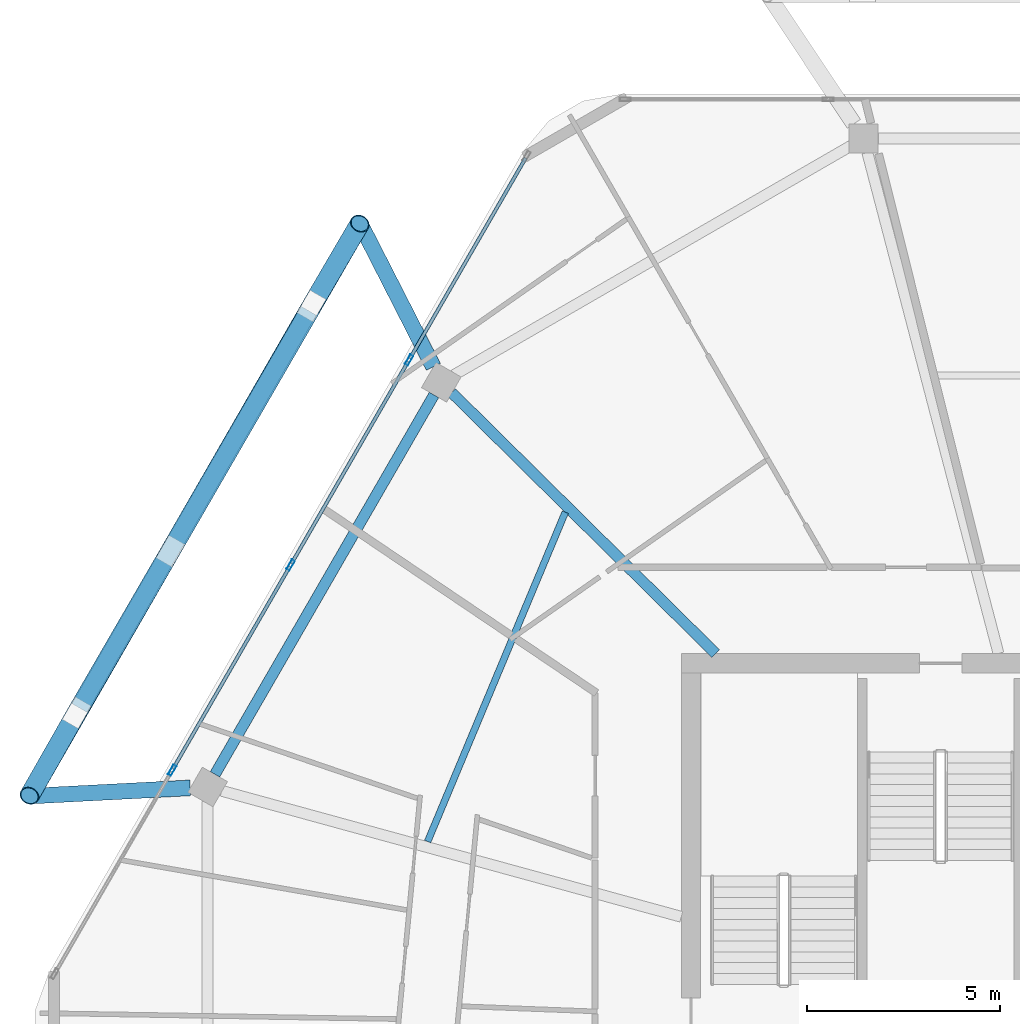
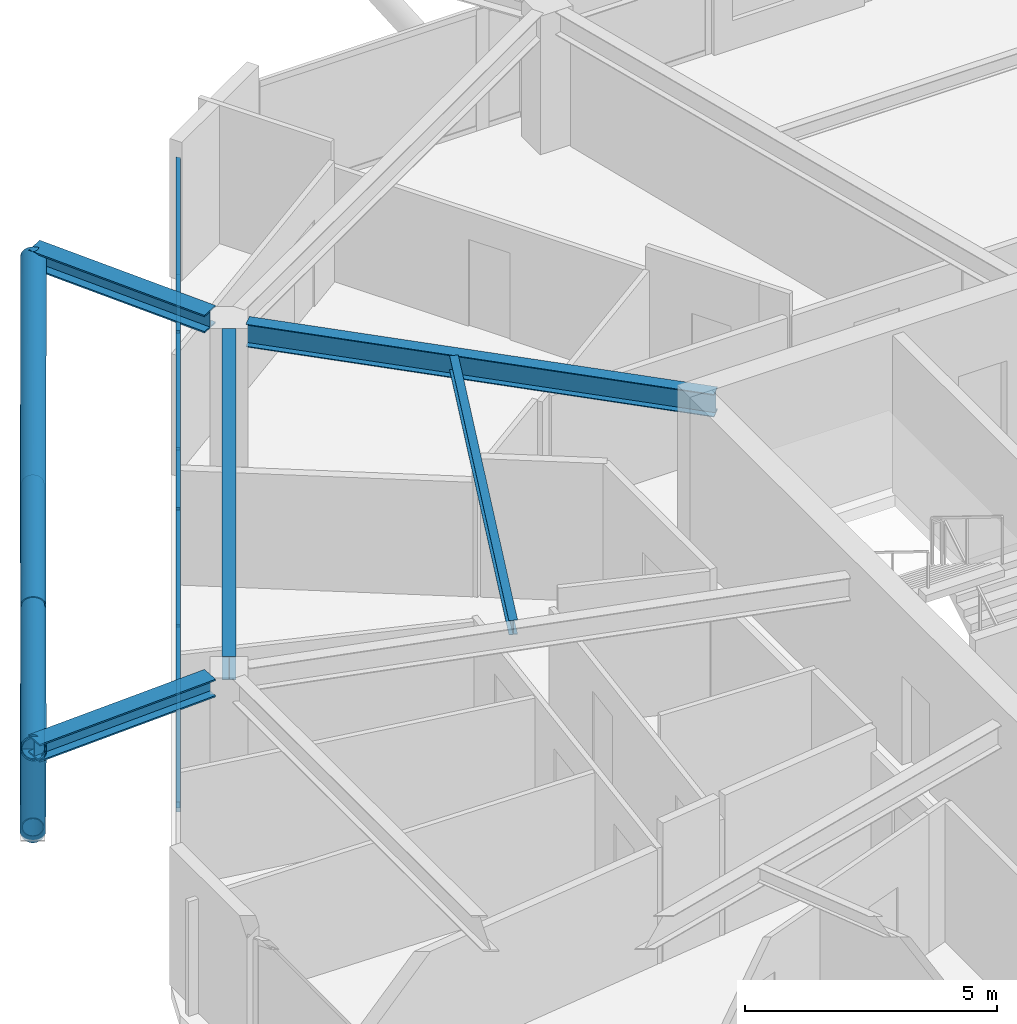
# One storey, part 10 of 23: 15 members, 5 beams, 1 element without a shape of its own.
"""IFC4 building model written with IfcOpenShell, lengths in metres."""

from ifc_helpers import new_model, si_unit, direction, frame, origin, origin_2d, place, context, subcontext, project, spatial, hollow_rectangle, hollow_circle, i_section, extrude, material, material_profile, profile_set, type_object, element, aggregate, save


model = new_model("IFC4")

# Units and contexts
model_context = context("Model", 3, precision=1e-05, world=origin(), true_north=direction((0.0, 1.0)))
body_context = subcontext(model_context, "Body", "Model", "MODEL_VIEW")
ifc_project = project(units=[si_unit("LENGTHUNIT", "METRE"), si_unit("AREAUNIT", "SQUARE_METRE"), si_unit("VOLUMEUNIT", "CUBIC_METRE"), si_unit("PLANEANGLEUNIT", "RADIAN"), si_unit("MASSUNIT", "GRAM", prefix="KILO")], contexts=[model_context])

# Site, building, storey
site_placement = place(None, origin())
site = spatial("IfcSite", under=ifc_project, at=site_placement, CompositionType="ELEMENT")
building_placement = place(site_placement, origin())
building = spatial("IfcBuilding", under=site, at=building_placement, Name="Zuhravey Tower", CompositionType="ELEMENT")
storey_placement = place(building_placement, frame((0.0, 0.0, 353.800048828125)))
storey = spatial("IfcBuildingStorey", under=building, at=storey_placement, Name="L90", CompositionType="ELEMENT", Elevation=353.800048828125)

# Curtain wall, members
ifc_material_1 = material(Name="Thermally broken anodised aluminium", Category="aluminium")
curtain_wall_type = type_object("IfcCurtainWallType", Name="Zone 3-4 High-Rise Curtain Wall CW4", PredefinedType="NOTDEFINED", material=ifc_material_1)
curtain_wall_placement = place(storey_placement, origin())
curtain_wall = element("IfcCurtainWall", 1, at=curtain_wall_placement, inside=storey, type_object=curtain_wall_type, Name="L90 CW4 CW-L90-F3-1", PredefinedType="NOTDEFINED")
ifc_material_2 = material(Name="Anodised aluminium", Category="aluminium")
ifc_material_profile_1 = material_profile(ifc_material_2, hollow_rectangle(XDim=0.090087890625, YDim=0.284912109375, WallThickness=0.0048828125, at=origin_2d()), Name="ALU-RHS-90x285x5")
ifc_profile_set_1 = profile_set([ifc_material_profile_1], Name="Anodised aluminium")
member_type_1 = type_object("IfcMemberType", Name="Curtain-Wall Mullion 90x180", PredefinedType="MULLION", material=ifc_profile_set_1)
member_1_placement = place(storey_placement, frame((12.09130859375, 38.7373046875, 0.0), z_axis=(0.0, 0.0, 1.0), x_axis=(-0.866025511541, 0.49999981336, 0.0)))
member_1 = element("IfcMember", 2, at=member_1_placement, type_object=member_type_1, Name="CW4 mullion 2", PredefinedType="MULLION", context=body_context, shape_type="SweptSolid", body=[
    extrude(hollow_rectangle(XDim=0.090087890625, YDim=0.284912109375, WallThickness=0.0048828125, at=origin_2d()), origin(), (0.0, 0.0, 1.0), 2.921875),
])
member_2_placement = place(storey_placement, frame((15.1513671875, 44.037109375, 0.0), z_axis=(0.0, 0.0, 1.0), x_axis=(-0.866025511541, 0.49999981336, 0.0)))
member_2 = element("IfcMember", 3, at=member_2_placement, type_object=member_type_1, Name="CW4 mullion 3", PredefinedType="MULLION", context=body_context, shape_type="SweptSolid", body=[
    extrude(hollow_rectangle(XDim=0.090087890625, YDim=0.284912109375, WallThickness=0.0048828125, at=origin_2d()), origin(), (0.0, 0.0, 1.0), 2.921875),
])
member_3_placement = place(storey_placement, frame((18.211181640625, 49.3369140625, 0.0), z_axis=(0.0, 0.0, 1.0), x_axis=(-0.866025511541, 0.49999981336, 0.0)))
member_3 = element("IfcMember", 4, at=member_3_placement, type_object=member_type_1, Name="CW4 mullion 4", PredefinedType="MULLION", context=body_context, shape_type="SweptSolid", body=[
    extrude(hollow_rectangle(XDim=0.090087890625, YDim=0.284912109375, WallThickness=0.0048828125, at=origin_2d()), origin(), (0.0, 0.0, 1.0), 2.921875),
])
ifc_material_profile_2 = material_profile(ifc_material_2, hollow_rectangle(XDim=0.090087890625, YDim=0.14990234375, WallThickness=0.0048828125, at=origin_2d()), Name="ALU-RHS-90x150x5")
ifc_profile_set_2 = profile_set([ifc_material_profile_2], Name="Anodised aluminium")
member_type_2 = type_object("IfcMemberType", Name="Curtain-Wall Transom 90x150", PredefinedType="USERDEFINED", material=ifc_profile_set_2)
member_4_placement = place(storey_placement, frame((12.114013671875, 38.7763671875, 0.044921875), z_axis=(0.499988837749, 0.866031848217, 0.0), x_axis=(-0.866031848217, 0.499988837749, 0.0)))
member_4 = element("IfcMember", 5, at=member_4_placement, type_object=member_type_2, Name="CW4 transom 2.1", ObjectType="TRANSOM", PredefinedType="USERDEFINED", context=body_context, shape_type="SweptSolid", body=[
    extrude(hollow_rectangle(XDim=0.090087890625, YDim=0.14990234375, WallThickness=0.0048828125, at=origin_2d()), origin(), (0.0, 0.0, 1.0), 6.029541015625),
])
member_5_placement = place(storey_placement, frame((12.114013671875, 38.7763671875, 2.876953125), z_axis=(0.499988837749, 0.866031848217, 0.0), x_axis=(-0.866031848217, 0.499988837749, 0.0)))
member_5 = element("IfcMember", 6, at=member_5_placement, type_object=member_type_2, Name="CW4 transom 2.2", ObjectType="TRANSOM", PredefinedType="USERDEFINED", context=body_context, shape_type="SweptSolid", body=[
    extrude(hollow_rectangle(XDim=0.090087890625, YDim=0.14990234375, WallThickness=0.0048828125, at=origin_2d()), origin(), (0.0, 0.0, 1.0), 6.029541015625),
])
member_6_placement = place(storey_placement, frame((15.173828125, 44.075927734375, 0.044921875), z_axis=(0.499971305196, 0.866041970103, 0.0), x_axis=(-0.866041970103, 0.499971305196, 0.0)))
member_6 = element("IfcMember", 7, at=member_6_placement, type_object=member_type_2, Name="CW4 transom 3.1", ObjectType="TRANSOM", PredefinedType="USERDEFINED", context=body_context, shape_type="SweptSolid", body=[
    extrude(hollow_rectangle(XDim=0.090087890625, YDim=0.14990234375, WallThickness=0.0048828125, at=origin_2d()), origin(), (0.0, 0.0, 1.0), 6.029541015625),
])
member_7_placement = place(storey_placement, frame((15.173828125, 44.075927734375, 2.876953125), z_axis=(0.499971305196, 0.866041970103, 0.0), x_axis=(-0.866041970103, 0.499971305196, 0.0)))
member_7 = element("IfcMember", 8, at=member_7_placement, type_object=member_type_2, Name="CW4 transom 3.2", ObjectType="TRANSOM", PredefinedType="USERDEFINED", context=body_context, shape_type="SweptSolid", body=[
    extrude(hollow_rectangle(XDim=0.090087890625, YDim=0.14990234375, WallThickness=0.0048828125, at=origin_2d()), origin(), (0.0, 0.0, 1.0), 6.029541015625),
])
member_8_placement = place(storey_placement, frame((18.233642578125, 49.375732421875, 0.044921875), z_axis=(0.499982594807, 0.866035452444, 0.0), x_axis=(-0.866035452444, 0.499982594807, 0.0)))
member_8 = element("IfcMember", 9, at=member_8_placement, type_object=member_type_2, Name="CW4 transom 4.1", ObjectType="TRANSOM", PredefinedType="USERDEFINED", context=body_context, shape_type="SweptSolid", body=[
    extrude(hollow_rectangle(XDim=0.090087890625, YDim=0.14990234375, WallThickness=0.0048828125, at=origin_2d()), origin(), (0.0, 0.0, 1.0), 5.984619140625),
])
member_9_placement = place(storey_placement, frame((18.233642578125, 49.375732421875, 2.876953125), z_axis=(0.499982594807, 0.866035452444, 0.0), x_axis=(-0.866035452444, 0.499982594807, 0.0)))
member_9 = element("IfcMember", 10, at=member_9_placement, type_object=member_type_2, Name="CW4 transom 4.2", ObjectType="TRANSOM", PredefinedType="USERDEFINED", context=body_context, shape_type="SweptSolid", body=[
    extrude(hollow_rectangle(XDim=0.090087890625, YDim=0.14990234375, WallThickness=0.0048828125, at=origin_2d()), origin(), (0.0, 0.0, 1.0), 5.984619140625),
])
aggregate(curtain_wall, [member_1, member_2, member_3, member_4, member_5, member_6, member_7, member_8, member_9])

# Beams
ifc_material_3 = material(Name="Steel SM460", Category="steel")
ifc_material_profile_3 = material_profile(ifc_material_3, i_section(OverallWidth=0.406982421875, OverallDepth=0.427978515625, WebThickness=0.02001953125, FlangeThickness=0.034912109375, at=origin_2d()), Name="H-428x407x20x35")
ifc_profile_set_3 = profile_set([ifc_material_profile_3], Name="Steel SM460")
beam_type_1 = type_object("IfcBeamType", Name="Exoskeleton Node Tie Beam H428x407", PredefinedType="BEAM", material=ifc_profile_set_3)
beam_1_placement = place(storey_placement, frame((18.84033203125, 49.1630859375, 3.135986328125), z_axis=(-0.454912116778, 0.890536336153, 0.0), x_axis=(-0.890536336153, -0.454912116778, 0.0)))
element("IfcBeam", 11, at=beam_1_placement, inside=storey, type_object=beam_type_1, Name="L90 Exoskeleton Node Tie NT1-05", PredefinedType="BEAM", context=body_context, shape_type="SweptSolid", body=[
    extrude(i_section(OverallWidth=0.406982421875, OverallDepth=0.427978515625, WebThickness=0.02001953125, FlangeThickness=0.034912109375, at=origin_2d()), origin(), (0.0, 0.0, 1.0), 4.151611328125),
])
beam_2_placement = place(storey_placement, frame((12.556396484375, 38.279296875, 3.135986328125), z_axis=(-0.998681254256, -0.051339579258, 0.0), x_axis=(0.051339579258, -0.998681254256, 0.0)))
element("IfcBeam", 12, at=beam_2_placement, inside=storey, type_object=beam_type_1, Name="L90 Exoskeleton Node Tie NT1-06", PredefinedType="BEAM", context=body_context, shape_type="SweptSolid", body=[
    extrude(i_section(OverallWidth=0.406982421875, OverallDepth=0.427978515625, WebThickness=0.02001953125, FlangeThickness=0.034912109375, at=origin_2d()), origin(), (0.0, 0.0, 1.0), 4.1513671875),
])

# Members
ifc_material_4 = material(Name="Steel SM355", Category="steel")
ifc_material_profile_4 = material_profile(ifc_material_4, hollow_circle(Radius=0.228515625, WallThickness=0.02197265625, at=origin_2d()), Name="CHS-457.2x22")
ifc_profile_set_4 = profile_set([ifc_material_profile_4], Name="Steel SM355")
member_type_3 = type_object("IfcMemberType", Name="Exoskeleton Ring Tie CHS457x22", PredefinedType="CHORD", material=ifc_profile_set_4)
member_10_placement = place(storey_placement, frame((15.620849609375, 50.6103515625, -0.59912109375), z_axis=(-0.500004115931, -0.866023027437, 0.0), x_axis=(0.866023027437, -0.500004115931, 0.0)))
element("IfcMember", 13, at=member_10_placement, inside=storey, type_object=member_type_3, Name="L90 Exoskeleton Face 3 Tie EXR1", PredefinedType="CHORD", context=body_context, shape_type="SweptSolid", body=[
    extrude(hollow_circle(Radius=0.228515625, WallThickness=0.02197265625, at=origin_2d()), origin(), (0.0, 0.0, 1.0), 11.85498046875),
])
ifc_material_profile_5 = material_profile(ifc_material_4, hollow_circle(Radius=0.25390625, WallThickness=0.02490234375, at=origin_2d()), Name="CHS-508.0x25")
ifc_profile_set_5 = profile_set([ifc_material_profile_5], Name="Steel SM355")
member_type_4 = type_object("IfcMemberType", Name="Exoskeleton Zone 4 Diagrid CHS508x25", PredefinedType="BRACE", material=ifc_profile_set_5)
member_11_placement = place(storey_placement, frame((15.6962890625, 50.74072265625, -0.5830078125), z_axis=(0.279611884569, 0.477679454804, 0.832850246122), x_axis=(-0.863018689104, 0.505171992748, 0.0)))
element("IfcMember", 14, at=member_11_placement, inside=storey, type_object=member_type_4, Name="L90 Face 3 Diagrid Brace 1", PredefinedType="BRACE", context=body_context, shape_type="SweptSolid", body=[
    extrude(hollow_circle(Radius=0.25390625, WallThickness=0.02490234375, at=origin_2d()), origin(), (0.0, 0.0, 1.0), 4.446044921875),
])
member_12_placement = place(storey_placement, frame((15.6650390625, 50.686767578125, -0.5859375), z_axis=(-0.483576979807, -0.83955717572, 0.247582417183), x_axis=(0.866535156501, -0.499116041165, 0.0)))
element("IfcMember", 15, at=member_12_placement, inside=storey, type_object=member_type_4, Name="L90 Face 3 Diagrid Brace 2", PredefinedType="BRACE", context=body_context, shape_type="SweptSolid", body=[
    extrude(hollow_circle(Radius=0.25390625, WallThickness=0.02490234375, at=origin_2d()), origin(), (0.0, 0.0, 1.0), 14.979736328125),
])
member_13_placement = place(storey_placement, frame((9.6181640625, 40.21337890625, -0.5830078125), z_axis=(-0.273843357145, -0.481024224703, 0.832841828318), x_axis=(0.869041764524, -0.494738730557, 0.0)))
element("IfcMember", 16, at=member_13_placement, inside=storey, type_object=member_type_4, Name="L90 Face 3 Diagrid Brace 4", PredefinedType="BRACE", context=body_context, shape_type="SweptSolid", body=[
    extrude(hollow_circle(Radius=0.25390625, WallThickness=0.02490234375, at=origin_2d()), origin(), (0.0, 0.0, 1.0), 4.446044921875),
])
member_14_placement = place(storey_placement, frame((9.6484375, 40.265625, -0.579833984375), z_axis=(0.467542778016, 0.806950504997, 0.36088035858), x_axis=(-0.86525843649, 0.501326079596, 0.0)))
element("IfcMember", 17, at=member_14_placement, inside=storey, type_object=member_type_4, Name="L90 Face 3 Split Diagrid Brace 3A", PredefinedType="BRACE", context=body_context, shape_type="SweptSolid", body=[
    extrude(hollow_circle(Radius=0.25390625, WallThickness=0.02490234375, at=origin_2d()), origin(), (0.0, 0.0, 1.0), 4.877685546875),
])
member_15_placement = place(storey_placement, frame((12.1630859375, 44.60595703125, 1.314208984375), z_axis=(0.49179708561, 0.850312338737, 0.187362091088), x_axis=(-0.865642065392, 0.500663374559, 0.0)))
element("IfcMember", 18, at=member_15_placement, inside=storey, type_object=member_type_4, Name="L90 Face 3 Split Diagrid Brace 3B", PredefinedType="BRACE", context=body_context, shape_type="SweptSolid", body=[
    extrude(hollow_circle(Radius=0.25390625, WallThickness=0.02490234375, at=origin_2d()), origin(), (0.0, 0.0, 1.0), 9.669921875),
])

# Beams
ifc_material_profile_6 = material_profile(ifc_material_4, i_section(OverallWidth=0.280029296875, OverallDepth=0.580078125, WebThickness=0.011962890625, FlangeThickness=0.01904296875, at=origin_2d()), Name="H-580x280x12x19")
ifc_profile_set_6 = profile_set([ifc_material_profile_6], Name="Steel SM355")
beam_type_2 = type_object("IfcBeamType", Name="Perimeter Ring Beam H580x280", PredefinedType="BEAM", material=ifc_profile_set_6)
beam_3_placement = place(storey_placement, frame((18.856201171875, 48.434326171875, 3.06005859375), z_axis=(-0.499993743963, -0.866029015679, 0.0), x_axis=(0.866029015679, -0.499993743963, 0.0)))
element("IfcBeam", 19, at=beam_3_placement, inside=storey, type_object=beam_type_2, Name="L90 PB4 BM-L90-PB-05", PredefinedType="BEAM", context=body_context, shape_type="SweptSolid", body=[
    extrude(i_section(OverallWidth=0.280029296875, OverallDepth=0.580078125, WebThickness=0.011962890625, FlangeThickness=0.01904296875, at=origin_2d()), origin(), (0.0, 0.0, 1.0), 11.321533203125),
])
ifc_material_profile_7 = material_profile(ifc_material_4, i_section(OverallWidth=0.280029296875, OverallDepth=0.550048828125, WebThickness=0.010986328125, FlangeThickness=0.01806640625, at=origin_2d()), Name="H-550x280x11x18")
ifc_profile_set_7 = profile_set([ifc_material_profile_7], Name="Steel SM355")
beam_type_3 = type_object("IfcBeamType", Name="Radial Primary Girder H550x280", PredefinedType="BEAM", material=ifc_profile_set_7)
beam_4_placement = place(storey_placement, frame((26.134765625, 41.7529296875, 3.074951171875), z_axis=(-0.711142578304, 0.703047817238, 0.0), x_axis=(-0.703047817238, -0.711142578304, 0.0)))
element("IfcBeam", 20, at=beam_4_placement, inside=storey, type_object=beam_type_3, Name="L90 RG4 BM-L90-RAD-05", PredefinedType="BEAM", context=body_context, shape_type="SweptSolid", body=[
    extrude(i_section(OverallWidth=0.280029296875, OverallDepth=0.550048828125, WebThickness=0.010986328125, FlangeThickness=0.01806640625, at=origin_2d()), origin(), (0.0, 0.0, 1.0), 9.591064453125),
])
ifc_material_profile_8 = material_profile(ifc_material_4, i_section(OverallWidth=0.175048828125, OverallDepth=0.35009765625, WebThickness=0.007080078125, FlangeThickness=0.010986328125, at=origin_2d()), Name="H-350x175x7x11")
ifc_profile_set_8 = profile_set([ifc_material_profile_8], Name="Steel SM355")
beam_type_4 = type_object("IfcBeamType", Name="Secondary Floor Joist H350x175", PredefinedType="JOIST", material=ifc_profile_set_8)
beam_5_placement = place(storey_placement, frame((22.2509765625, 45.40478515625, 3.175048828125), z_axis=(-0.385657891576, -0.922641853953, 0.0), x_axis=(0.922641853953, -0.385657891576, 0.0)))
element("IfcBeam", 21, at=beam_5_placement, inside=storey, type_object=beam_type_4, Name="L90 SJ3 BM-L90-SJ-05-1", PredefinedType="JOIST", context=body_context, shape_type="SweptSolid", body=[
    extrude(i_section(OverallWidth=0.175048828125, OverallDepth=0.35009765625, WebThickness=0.007080078125, FlangeThickness=0.010986328125, at=origin_2d()), origin(), (0.0, 0.0, 1.0), 9.226806640625),
])

save(model, "model.ifc")
